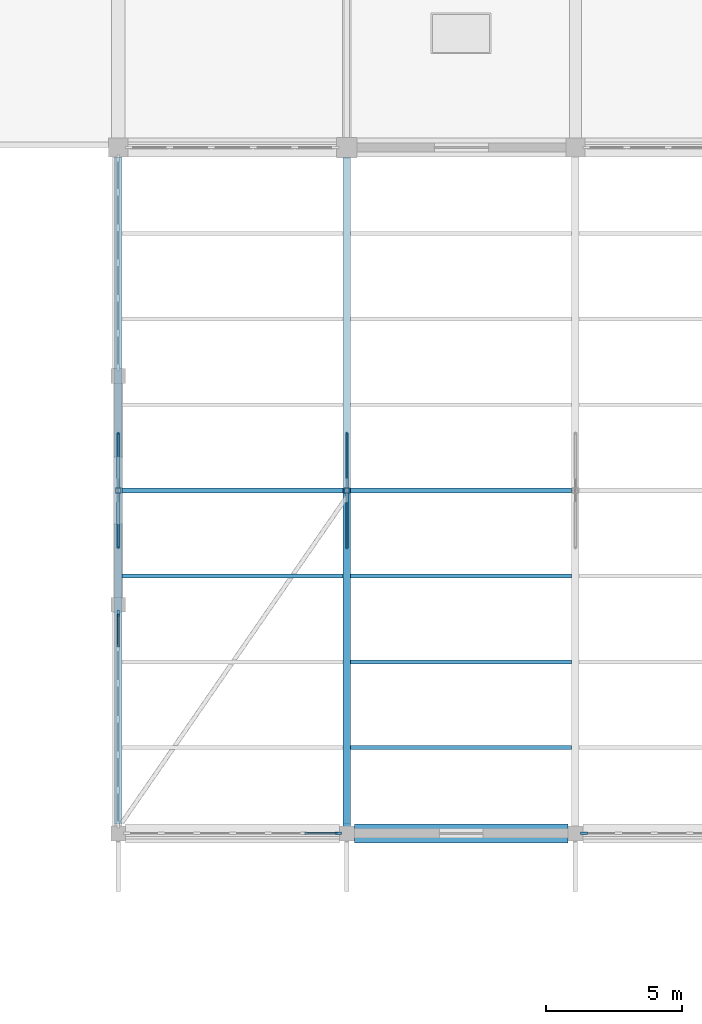
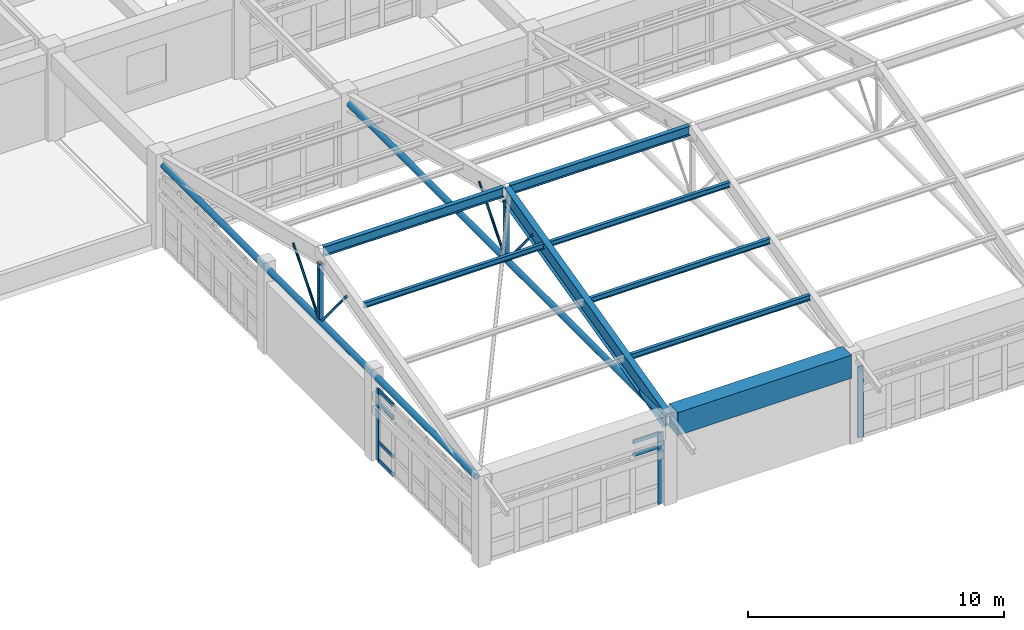
# One storey, part 11 of 99: 21 members, 4 beams, 3 elements without a shape of their own.
"""IFC4 building model written with IfcOpenShell, lengths in metres."""

from ifc_helpers import new_model, si_unit, direction, frame, origin, origin_2d, place, context, subcontext, project, spatial, rectangle, hollow_rectangle, hollow_circle, i_section, extrude, material, layer, layer_set, material_profile, profile_set, type_object, element, aggregate, save


model = new_model("IFC4")

# Units and contexts
model_context = context("Model", 3, precision=1e-05, world=origin(), true_north=direction((0.0, 1.0)))
body_context = subcontext(model_context, "Body", "Model", "MODEL_VIEW")
ifc_project = project(units=[si_unit("LENGTHUNIT", "METRE"), si_unit("AREAUNIT", "SQUARE_METRE"), si_unit("VOLUMEUNIT", "CUBIC_METRE"), si_unit("PLANEANGLEUNIT", "RADIAN"), si_unit("MASSUNIT", "GRAM", prefix="KILO")], contexts=[model_context])

# Site, building, storey
site_placement = place(None, origin())
site = spatial("IfcSite", under=ifc_project, at=site_placement, CompositionType="ELEMENT")
building_placement = place(site_placement, origin())
building = spatial("IfcBuilding", under=site, at=building_placement, Name="Porcellanite Civic Hall", CompositionType="ELEMENT")
storey_placement = place(building_placement, frame((0.0, 0.0, 5.760009765625)))
storey = spatial("IfcBuildingStorey", under=building, at=storey_placement, Name="L01", CompositionType="ELEMENT", Elevation=5.760009765625)

# Members
ifc_material_1 = material(Name="Steel C350L0", Category="steel")
ifc_material_profile_1 = material_profile(ifc_material_1, hollow_circle(Radius=0.05712890625, WallThickness=0.006103515625, at=origin_2d()), Name="114.3x6.0CHS")
ifc_profile_set_1 = profile_set([ifc_material_profile_1], Name="Steel C350L0")
member_type_1 = type_object("IfcMemberType", Name="BRC-114CHS", PredefinedType="BRACE", material=ifc_profile_set_1)
for number, where, z_axis, x_axis, name in (
    (1, (67.199951171875, 29.280029296875, 3.974853515625), (0.0, -0.638285821995, 0.769799460535), (1.0, 0.0, 0.0), "Public Hall south web 8"),
    (2, (67.199951171875, 29.52001953125, 3.974853515625), (0.0, 0.638285821995, 0.769799460535), (-1.0, 0.0, 0.0), "Public Hall north web 8"),
    (3, (75.60009765625, 29.280029296875, 3.974853515625), (0.0, -0.638285821995, 0.769799460535), (1.0, 0.0, 0.0), "Public Hall south web 9"),
    (4, (75.60009765625, 29.52001953125, 3.974853515625), (0.0, 0.638285821995, 0.769799460535), (-1.0, 0.0, 0.0), "Public Hall north web 9"),
):
    element("IfcMember", number, at=place(storey_placement, frame(where, z_axis=z_axis, x_axis=x_axis)), inside=storey, type_object=member_type_1, Name=name, PredefinedType="BRACE", context=body_context, shape_type="SweptSolid", body=[
        extrude(hollow_circle(Radius=0.05712890625, WallThickness=0.006103515625, at=origin_2d()), origin(), (0.0, 0.0, 1.0), 3.10205078125),
    ])

# Curtain wall, member
ifc_material_2 = material(Name="Anodised aluminium and solar laminated glass", Category="aluminium")
ifc_layer = layer(ifc_material_2, 0.179931640625)
ifc_layer_set = layer_set([ifc_layer], Name="Anodised aluminium and solar laminated glass")
curtain_wall_type = type_object("IfcCurtainWallType", Name="CW-SYS01", PredefinedType="NOTDEFINED", material=ifc_layer_set)
curtain_wall_1_placement = place(storey_placement, origin())
curtain_wall_1 = element("IfcCurtainWall", 5, at=curtain_wall_1_placement, inside=storey, type_object=curtain_wall_type, Name="Curtain wall CW-088", PredefinedType="NOTDEFINED")
ifc_material_3 = material(Name="Anodised aluminium 6063-T6", Category="aluminium")
ifc_material_profile_2 = material_profile(ifc_material_3, rectangle(XDim=0.080078125, YDim=0.239990234375, at=origin_2d()), Name="AL-80x240")
ifc_profile_set_2 = profile_set([ifc_material_profile_2], Name="Anodised aluminium 6063-T6")
member_type_2 = type_object("IfcMemberType", Name="CWM-01", PredefinedType="MULLION", material=ifc_profile_set_2)
member_1_placement = place(storey_placement, frame((75.283935546875, 16.800048828125, 0.0), z_axis=(0.0, 0.0, 1.0), x_axis=(0.0, -1.0, 0.0)))
member_1 = element("IfcMember", 6, at=member_1_placement, type_object=member_type_2, Name="CW-088 mullion 1", PredefinedType="MULLION", context=body_context, shape_type="SweptSolid", body=[
    extrude(rectangle(XDim=0.080078125, YDim=0.239990234375, at=origin_2d()), origin(), (0.0, 0.0, 1.0), 3.39990234375),
])

curtain_wall_2_placement = place(storey_placement, origin())
curtain_wall_2 = element("IfcCurtainWall", 7, at=curtain_wall_2_placement, inside=storey, type_object=curtain_wall_type, Name="Curtain wall CW-089", PredefinedType="NOTDEFINED")
member_2_placement = place(storey_placement, frame((67.199951171875, 24.884033203125, 0.0), z_axis=(0.0, 0.0, 1.0), x_axis=(-1.0, 0.0, 0.0)))
member_2 = element("IfcMember", 8, at=member_2_placement, type_object=member_type_2, Name="CW-089 mullion 7", PredefinedType="MULLION", context=body_context, shape_type="SweptSolid", body=[
    extrude(rectangle(XDim=0.080078125, YDim=0.239990234375, at=origin_2d()), origin(), (0.0, 0.0, 1.0), 3.39990234375),
])

curtain_wall_3_placement = place(storey_placement, origin())
curtain_wall_3 = element("IfcCurtainWall", 9, at=curtain_wall_3_placement, inside=storey, type_object=curtain_wall_type, Name="Curtain wall CW-095", PredefinedType="NOTDEFINED")
member_3_placement = place(storey_placement, frame((84.31591796875, 16.800048828125, 0.0), z_axis=(0.0, 0.0, 1.0), x_axis=(0.0, -1.0, 0.0)))
member_3 = element("IfcMember", 10, at=member_3_placement, type_object=member_type_2, Name="CW-095 mullion 7", PredefinedType="MULLION", context=body_context, shape_type="SweptSolid", body=[
    extrude(rectangle(XDim=0.080078125, YDim=0.239990234375, at=origin_2d()), origin(), (0.0, 0.0, 1.0), 3.39990234375),
])
aggregate(curtain_wall_3, [member_3])

# Member
ifc_material_4 = material(Name="Anodised aluminium 6063-T6", Category="aluminium")
ifc_material_profile_3 = material_profile(ifc_material_4, rectangle(XDim=0.070068359375, YDim=0.175048828125, at=origin_2d()), Name="AL-70x175")
ifc_profile_set_3 = profile_set([ifc_material_profile_3], Name="Anodised aluminium 6063-T6")
member_type_3 = type_object("IfcMemberType", Name="CWT-01", PredefinedType="USERDEFINED", material=ifc_profile_set_3)
member_4_placement = place(storey_placement, frame((75.243896484375, 16.800048828125, 2.75), z_axis=(-1.0, 0.0, 0.0), x_axis=(0.0, -1.0, 0.0)))
member_4 = element("IfcMember", 11, at=member_4_placement, type_object=member_type_3, Name="CW-088 transom 1.3", ObjectType="TRANSOM", PredefinedType="USERDEFINED", context=body_context, shape_type="SweptSolid", body=[
    extrude(rectangle(XDim=0.070068359375, YDim=0.175048828125, at=origin_2d()), origin(), (0.0, 0.0, 1.0), 1.18798828125),
])

member_5_placement = place(storey_placement, frame((75.243896484375, 16.800048828125, 3.364990234375), z_axis=(-1.0, 0.0, 0.0), x_axis=(0.0, -1.0, 0.0)))
member_5 = element("IfcMember", 12, at=member_5_placement, type_object=member_type_3, Name="CW-088 transom 1.4", ObjectType="TRANSOM", PredefinedType="USERDEFINED", context=body_context, shape_type="SweptSolid", body=[
    extrude(rectangle(XDim=0.070068359375, YDim=0.175048828125, at=origin_2d()), origin(), (0.0, 0.0, 1.0), 1.18798828125),
])

aggregate(curtain_wall_1, [member_1, member_4, member_5])

member_6_placement = place(storey_placement, frame((67.199951171875, 23.656005859375, 0.034912109375), z_axis=(0.0, 1.0, 0.0), x_axis=(-1.0, 0.0, 0.0)))
member_6 = element("IfcMember", 13, at=member_6_placement, type_object=member_type_3, Name="CW-089 transom 6.1", ObjectType="TRANSOM", PredefinedType="USERDEFINED", context=body_context, shape_type="SweptSolid", body=[
    extrude(rectangle(XDim=0.070068359375, YDim=0.175048828125, at=origin_2d()), origin(), (0.0, 0.0, 1.0), 1.18798828125),
])

member_7_placement = place(storey_placement, frame((67.199951171875, 23.656005859375, 0.89990234375), z_axis=(0.0, 1.0, 0.0), x_axis=(-1.0, 0.0, 0.0)))
member_7 = element("IfcMember", 14, at=member_7_placement, type_object=member_type_3, Name="CW-089 transom 6.2", ObjectType="TRANSOM", PredefinedType="USERDEFINED", context=body_context, shape_type="SweptSolid", body=[
    extrude(rectangle(XDim=0.070068359375, YDim=0.175048828125, at=origin_2d()), origin(), (0.0, 0.0, 1.0), 1.18798828125),
])

member_8_placement = place(storey_placement, frame((67.199951171875, 23.656005859375, 2.75), z_axis=(0.0, 1.0, 0.0), x_axis=(-1.0, 0.0, 0.0)))
member_8 = element("IfcMember", 15, at=member_8_placement, type_object=member_type_3, Name="CW-089 transom 6.3", ObjectType="TRANSOM", PredefinedType="USERDEFINED", context=body_context, shape_type="SweptSolid", body=[
    extrude(rectangle(XDim=0.070068359375, YDim=0.175048828125, at=origin_2d()), origin(), (0.0, 0.0, 1.0), 1.18798828125),
])

member_9_placement = place(storey_placement, frame((67.199951171875, 23.656005859375, 3.364990234375), z_axis=(0.0, 1.0, 0.0), x_axis=(-1.0, 0.0, 0.0)))
member_9 = element("IfcMember", 16, at=member_9_placement, type_object=member_type_3, Name="CW-089 transom 6.4", ObjectType="TRANSOM", PredefinedType="USERDEFINED", context=body_context, shape_type="SweptSolid", body=[
    extrude(rectangle(XDim=0.070068359375, YDim=0.175048828125, at=origin_2d()), origin(), (0.0, 0.0, 1.0), 1.18798828125),
])

aggregate(curtain_wall_2, [member_2, member_6, member_7, member_8, member_9])

# Beam
ifc_material_5 = material(Name="Concrete N50 (50 MPa)", Category="concrete")
ifc_material_profile_4 = material_profile(ifc_material_5, rectangle(XDim=0.699951171875, YDim=1.10009765625, at=origin_2d()), Name="RC-700x1100")
ifc_profile_set_4 = profile_set([ifc_material_profile_4], Name="Concrete N50 (50 MPa)")
beam_type_1 = type_object("IfcBeamType", Name="EB-CH2", PredefinedType="BEAM", material=ifc_profile_set_4)
beam_1_placement = place(storey_placement, frame((75.87451171875, 16.800048828125, 3.780029296875), z_axis=(1.0, 0.0, 0.0), x_axis=(0.0, 1.0, 0.0)))
element("IfcBeam", 17, at=beam_1_placement, inside=storey, type_object=beam_type_1, Name="Public Hall edge beam 2 9", PredefinedType="BEAM", context=body_context, shape_type="SweptSolid", body=[
    extrude(rectangle(XDim=0.699951171875, YDim=1.10009765625, at=origin_2d()), origin(), (0.0, 0.0, 1.0), 7.85107421875),
])

# Members
ifc_material_6 = material(Name="Steel Grade 350", Category="steel")
ifc_material_profile_5 = material_profile(ifc_material_6, i_section(OverallWidth=0.14599609375, OverallDepth=0.251953125, WebThickness=0.006103515625, FlangeThickness=0.008544921875, FilletRadius=0.0087890625, at=origin_2d()), Name="250UB31.4")
ifc_profile_set_5 = profile_set([ifc_material_profile_5], Name="Steel Grade 350")
member_type_4 = type_object("IfcMemberType", Name="PUR-250UB31", PredefinedType="PURLIN", material=ifc_profile_set_5)
for number, where, z_axis, x_axis, name in (
    (18, (67.3369140625, 26.25, 6.52099609375), (1.0, 0.0, 0.0), (0.0, 1.0, 0.0), "Public Hall purlin 8 26.2"),
    (19, (75.737060546875, 19.949951171875, 4.9501953125), (1.0, 0.0, 0.0), (0.0, 1.0, 0.0), "Public Hall purlin 9 19.9"),
    (20, (75.737060546875, 23.10009765625, 5.735595703125), (1.0, 0.0, 0.0), (0.0, 1.0, 0.0), "Public Hall purlin 9 23.1"),
    (21, (75.737060546875, 26.25, 6.52099609375), (1.0, 0.0, 0.0), (0.0, 1.0, 0.0), "Public Hall purlin 9 26.2"),
):
    element("IfcMember", number, at=place(storey_placement, frame(where, z_axis=z_axis, x_axis=x_axis)), inside=storey, type_object=member_type_4, Name=name, PredefinedType="PURLIN", context=body_context, shape_type="SweptSolid", body=[
        extrude(i_section(OverallWidth=0.14599609375, OverallDepth=0.251953125, WebThickness=0.006103515625, FlangeThickness=0.008544921875, FilletRadius=0.0087890625, at=origin_2d()), origin(), (0.0, 0.0, 1.0), 8.1259765625),
    ])

# Beams
ifc_material_7 = material(Name="Steel Grade 350", Category="steel")
ifc_material_profile_6 = material_profile(ifc_material_7, i_section(OverallWidth=0.19091796875, OverallDepth=0.4599609375, WebThickness=0.010009765625, FlangeThickness=0.01611328125, FilletRadius=0.011474609375, at=origin_2d()), Name="460UB82.1")
ifc_profile_set_6 = profile_set([ifc_material_profile_6], Name="Steel Grade 350")
beam_type_2 = type_object("IfcBeamType", Name="RAF-460UB82", PredefinedType="BEAM", material=ifc_profile_set_6)
for number, where, z_axis, x_axis, name in (
    (22, (67.3369140625, 29.39990234375, 7.20166015625), (1.0, 0.0, 0.0), (0.0, 1.0, 0.0), "Public Hall ridge beam 8"),
    (23, (75.737060546875, 29.39990234375, 7.20166015625), (1.0, 0.0, 0.0), (0.0, 1.0, 0.0), "Public Hall ridge beam 9"),
):
    element("IfcBeam", number, at=place(storey_placement, frame(where, z_axis=z_axis, x_axis=x_axis)), inside=storey, type_object=beam_type_2, Name=name, PredefinedType="BEAM", context=body_context, shape_type="SweptSolid", body=[
        extrude(i_section(OverallWidth=0.19091796875, OverallDepth=0.4599609375, WebThickness=0.010009765625, FlangeThickness=0.01611328125, FilletRadius=0.011474609375, at=origin_2d()), origin(), (0.0, 0.0, 1.0), 8.1259765625),
    ])
ifc_material_8 = material(Name="Steel Grade 350", Category="steel")
ifc_material_profile_7 = material_profile(ifc_material_8, i_section(OverallWidth=0.27490234375, OverallDepth=0.800048828125, WebThickness=0.010009765625, FlangeThickness=0.01611328125, FilletRadius=0.013916015625, at=origin_2d()), Name="800WB146")
ifc_profile_set_7 = profile_set([ifc_material_profile_7], Name="Steel Grade 350")
beam_type_3 = type_object("IfcBeamType", Name="RAF-800WB", PredefinedType="BEAM", material=ifc_profile_set_7)
beam_2_placement = place(storey_placement, frame((75.60009765625, 16.800048828125, 3.894775390625), z_axis=(0.0, 0.970293823695, 0.241929526309), x_axis=(-1.0, 0.0, 0.0)))
element("IfcBeam", 24, at=beam_2_placement, inside=storey, type_object=beam_type_3, Name="Public Hall south rafter 9", PredefinedType="BEAM", context=body_context, shape_type="SweptSolid", body=[
    extrude(i_section(OverallWidth=0.27490234375, OverallDepth=0.800048828125, WebThickness=0.010009765625, FlangeThickness=0.01611328125, FilletRadius=0.013916015625, at=origin_2d()), origin(), (0.0, 0.0, 1.0), 12.985595703125),
])

# Members
ifc_material_9 = material(Name="Steel C350L0", Category="steel")
ifc_material_profile_8 = material_profile(ifc_material_9, hollow_rectangle(XDim=0.199951171875, YDim=0.199951171875, WallThickness=0.009033203125, InnerFilletRadius=0.013427734375, OuterFilletRadius=0.0224609375, at=origin_2d()), Name="200x200x9.0SHS")
ifc_profile_set_8 = profile_set([ifc_material_profile_8], Name="Steel C350L0")
member_type_5 = type_object("IfcMemberType", Name="STR-200SHS", PredefinedType="STRUT", material=ifc_profile_set_8)
for number, where, z_axis, x_axis, name in (
    (25, (67.199951171875, 29.39990234375, 4.034912109375), (0.0, 0.0, 1.0), (1.0, 0.0, 0.0), "Public Hall king post 8"),
    (26, (75.60009765625, 29.39990234375, 4.034912109375), (0.0, 0.0, 1.0), (1.0, 0.0, 0.0), "Public Hall king post 9"),
):
    element("IfcMember", number, at=place(storey_placement, frame(where, z_axis=z_axis, x_axis=x_axis)), inside=storey, type_object=member_type_5, Name=name, PredefinedType="STRUT", context=body_context, shape_type="SweptSolid", body=[
        extrude(hollow_rectangle(XDim=0.199951171875, YDim=0.199951171875, WallThickness=0.009033203125, InnerFilletRadius=0.013427734375, OuterFilletRadius=0.0224609375, at=origin_2d()), origin(), (0.0, 0.0, 1.0), 2.6513671875),
    ])
ifc_material_10 = material(Name="Steel C350L0", Category="steel")
ifc_material_profile_9 = material_profile(ifc_material_10, hollow_circle(Radius=0.136474609375, WallThickness=0.00927734375, at=origin_2d()), Name="273.1x9.3CHS")
ifc_profile_set_9 = profile_set([ifc_material_profile_9], Name="Steel C350L0")
member_type_6 = type_object("IfcMemberType", Name="TIE-273CHS", PredefinedType="CHORD", material=ifc_profile_set_9)
for number, where, z_axis, x_axis, name in (
    (27, (67.199951171875, 17.14990234375, 3.894775390625), (0.0, 1.0, 0.0), (-1.0, 0.0, 0.0), "Public Hall tie chord 8"),
    (28, (75.60009765625, 17.14990234375, 3.894775390625), (0.0, 1.0, 0.0), (-1.0, 0.0, 0.0), "Public Hall tie chord 9"),
):
    element("IfcMember", number, at=place(storey_placement, frame(where, z_axis=z_axis, x_axis=x_axis)), inside=storey, type_object=member_type_6, Name=name, PredefinedType="CHORD", context=body_context, shape_type="SweptSolid", body=[
        extrude(hollow_circle(Radius=0.136474609375, WallThickness=0.00927734375, at=origin_2d()), origin(), (0.0, 0.0, 1.0), 24.5),
    ])

save(model, "model.ifc")
